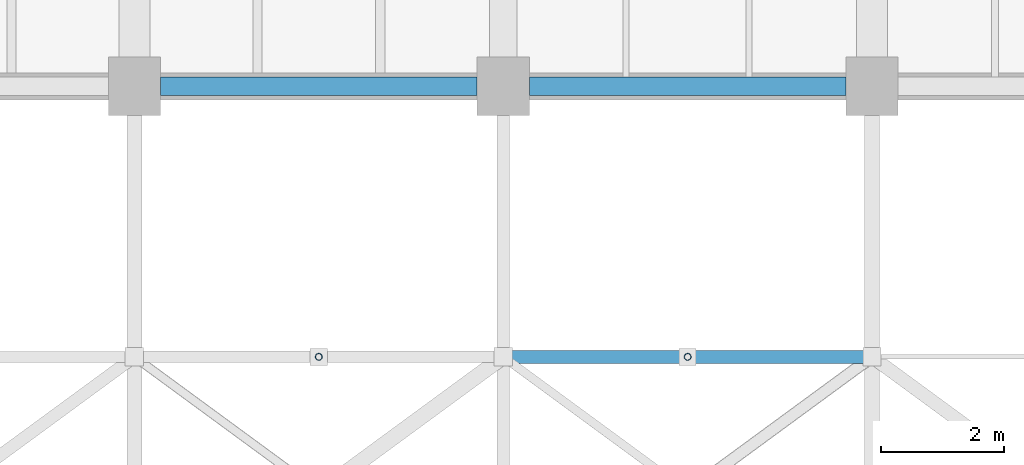
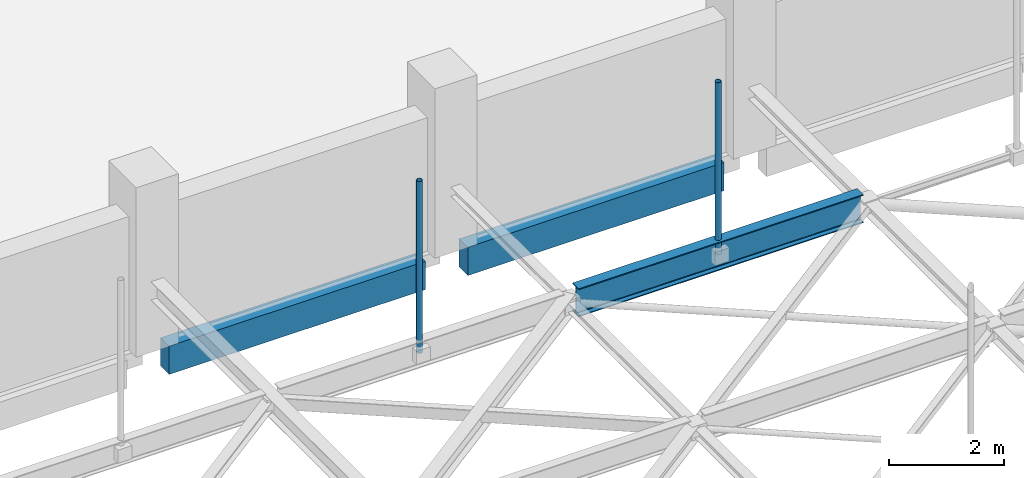
# One storey, part 51 of 93: 3 beams, 2 members.
"""IFC4 building model written with IfcOpenShell, lengths in metres."""

import ifcopenshell
import ifcopenshell.guid

model = None  # the IFC model being written
_history = None  # IfcOwnerHistory: only IFC2X3 demands one
_inside = {}  # id of a spatial element -> (the spatial element, [elements in it])
_under = {}  # id of a project, library or spatial element -> (it, [spatial elements below it])
_declared = {}  # id of a project -> (the project, [libraries it declares])
_typed = {}  # id of a type object -> (the type object, [elements of that type])
_made_of = {}  # id of a material, layer set ... -> (it, [elements and type objects made of it])


def new_model(schema):
    """Start an empty IFC model of exactly this schema.

    Asked for "IFC4X3", IfcOpenShell would pick the latest addendum, in which some entities
    have other attributes; the version numbers below select the first issue.
    IFC2X3 requires an IfcOwnerHistory on every rooted entity: one is made here for all.
    """
    global model, _history
    if schema == "IFC4X3":
        model = ifcopenshell.file(schema_version=(4, 3, 0, 0))
    else:
        model = ifcopenshell.file(schema=schema)
    _inside.clear()
    _under.clear()
    _declared.clear()
    _typed.clear()
    _made_of.clear()
    _history = None
    if model.schema == "IFC2X3":
        org = make("IfcOrganization", Name="unknown")
        user = make(
            "IfcPersonAndOrganization",
            ThePerson=make("IfcPerson", FamilyName="unknown"),
            TheOrganization=org,
        )
        app = make(
            "IfcApplication",
            ApplicationDeveloper=org,
            Version="unknown",
            ApplicationFullName="unknown",
            ApplicationIdentifier="unknown",
        )
        _history = make(
            "IfcOwnerHistory",
            OwningUser=user,
            OwningApplication=app,
            ChangeAction="ADDED",
            CreationDate=0,
        )
    return model


def make(cls, **values):
    """One entity of the class cls with the attributes given. An attribute that is None is left unset."""
    return model.create_entity(
        cls, **{name: value for name, value in values.items() if value is not None}
    )


def rooted(cls, **values):
    """An entity with a GlobalId (a new one), such as an element, a storey or a relation."""
    return make(cls, GlobalId=ifcopenshell.guid.new(), OwnerHistory=_history, **values)


def si_unit(unit_type, name, prefix=None):
    """IfcSIUnit, for example si_unit("LENGTHUNIT", "METRE", prefix="MILLI")."""
    return make("IfcSIUnit", UnitType=unit_type, Prefix=prefix, Name=name)


def assignment(units):
    """IfcUnitAssignment: the units of a project."""
    return None if units is None else make("IfcUnitAssignment", Units=units)


def point(xyz):
    """IfcCartesianPoint."""
    return None if xyz is None else make("IfcCartesianPoint", Coordinates=xyz)


def direction(xyz):
    """IfcDirection."""
    return None if xyz is None else make("IfcDirection", DirectionRatios=xyz)


def frame(location, z_axis=None, x_axis=None):
    """IfcAxis2Placement3D, a coordinate frame: its origin and axes. An axis left out is left unset."""
    return make(
        "IfcAxis2Placement3D",
        Location=point(location),
        Axis=direction(z_axis),
        RefDirection=direction(x_axis),
    )


def frame_2d(location, x_axis=None):
    """IfcAxis2Placement2D, a coordinate frame in the plane: its origin and x axis."""
    return make(
        "IfcAxis2Placement2D", Location=point(location), RefDirection=direction(x_axis)
    )


def origin():
    """The frame at (0, 0, 0) with its axes left unset."""
    return frame((0.0, 0.0, 0.0))


def origin_2d():
    """The frame at (0, 0) in the plane with its x axis left unset."""
    return frame_2d((0.0, 0.0))


def place(relative_to, where):
    """IfcLocalPlacement: puts the frame where relative to a parent placement (None: the world)."""
    return make(
        "IfcLocalPlacement", PlacementRelTo=relative_to, RelativePlacement=where
    )


def context(
    kind, dimensions, precision=None, world=None, true_north=None, identifier=None
):
    """IfcGeometricRepresentationContext, for example the 3D "Model" context."""
    return make(
        "IfcGeometricRepresentationContext",
        ContextIdentifier=identifier,
        ContextType=kind,
        CoordinateSpaceDimension=dimensions,
        Precision=precision,
        WorldCoordinateSystem=world,
        TrueNorth=true_north,
    )


def subcontext(parent, identifier, kind, view, scale=None):
    """IfcGeometricRepresentationSubContext, for example "Body" below "Model"."""
    return make(
        "IfcGeometricRepresentationSubContext",
        ContextIdentifier=identifier,
        ContextType=kind,
        ParentContext=parent,
        TargetScale=scale,
        TargetView=view,
    )


def project(units=None, contexts=None):
    """IfcProject with its units and contexts."""
    return rooted(
        "IfcProject",
        Name="project",
        RepresentationContexts=contexts,
        UnitsInContext=assignment(units),
    )


def spatial(cls, under=None, at=None, **own):
    """A site, building, storey or space (cls), placed at a placement, below another one or the project."""
    s = rooted(cls, ObjectPlacement=at, **own)
    if under is not None:
        _under.setdefault(under.id(), (under, []))[1].append(s)
    return s


def profile(cls, at=None, kind="AREA", **sizes):
    """A parametric profile (cls). Its sizes go by their IFC names, for example OverallWidth=200.0."""
    return make(cls, ProfileType=kind, Position=at, **sizes)


def rectangle(**sizes):
    """IfcRectangleProfileDef."""
    return profile("IfcRectangleProfileDef", **sizes)


def hollow_circle(**sizes):
    """IfcCircleHollowProfileDef."""
    return profile("IfcCircleHollowProfileDef", **sizes)


def i_section(**sizes):
    """IfcIShapeProfileDef."""
    return profile("IfcIShapeProfileDef", **sizes)


def extrude(swept, where, along, depth):
    """IfcExtrudedAreaSolid: the profile swept, set in the frame where, extruded along a direction by depth."""
    return make(
        "IfcExtrudedAreaSolid",
        SweptArea=swept,
        Position=where,
        ExtrudedDirection=direction(along),
        Depth=depth,
    )


def shape(context_of_items, identifier, shape_type, items):
    """IfcShapeRepresentation: the items that make up one representation, for example the "Body"."""
    return make(
        "IfcShapeRepresentation",
        ContextOfItems=context_of_items,
        RepresentationIdentifier=identifier,
        RepresentationType=shape_type,
        Items=items,
    )


def material(Name=None, Category=None):
    """IfcMaterial."""
    return make("IfcMaterial", Name=Name, Category=Category)


def material_profile(
    of_material, cross_section, Name=None, Category=None, Priority=None
):
    """IfcMaterialProfile: a cross section and its material."""
    return make(
        "IfcMaterialProfile",
        Name=Name,
        Material=of_material,
        Profile=cross_section,
        Priority=Priority,
        Category=Category,
    )


def profile_set(profiles, Name=None, composite=None):
    """IfcMaterialProfileSet."""
    return make(
        "IfcMaterialProfileSet",
        Name=Name,
        MaterialProfiles=profiles,
        CompositeProfile=composite,
    )


def made_of(thing, what):
    """Note that an element or type object is made of a material, layer set ...; save() writes the relation."""
    if what is not None:
        _made_of.setdefault(what.id(), (what, []))[1].append(thing)
    return thing


def type_object(cls, material=None, **own):
    """A type object (cls), such as IfcWallType, which elements share."""
    return made_of(rooted(cls, **own), material)


def element(
    cls,
    number,
    at=None,
    inside=None,
    cuts=None,
    type_object=None,
    material=None,
    context=None,
    identifier="Body",
    shape_type=None,
    held_by="IfcProductDefinitionShape",
    body=None,
    shapes=None,
    **own,
):
    """One element of the class cls, such as IfcWall. Its Tag is "e" and its number.

    at: its placement. inside: the storey or other place that contains it. cuts: it is an
    opening in that element (IfcRelVoidsElement). A single representation is given by context,
    identifier, shape_type and body (its items); several are given by shapes. held_by: the class
    of the entity that holds the representations. save() writes the other relations.
    """
    e = rooted(cls, Tag="e%d" % number, ObjectPlacement=at, **own)
    if body is not None:
        shapes = [shape(context, identifier, shape_type, body)]
    if shapes is not None:
        e.Representation = make(held_by, Representations=shapes)
    if inside is not None:
        _inside.setdefault(inside.id(), (inside, []))[1].append(e)
    if cuts is not None:
        rooted(
            "IfcRelVoidsElement", RelatingBuildingElement=cuts, RelatedOpeningElement=e
        )
    if type_object is not None:
        _typed.setdefault(type_object.id(), (type_object, []))[1].append(e)
    return made_of(e, material)


def aggregate(whole, parts):
    """IfcRelAggregates: a whole, such as a stair, and the parts it consists of."""
    return rooted("IfcRelAggregates", RelatingObject=whole, RelatedObjects=parts)


def save(model, path):
    """Write the relations noted so far, then the file.

    IfcRelAggregates (storeys below a building ...), IfcRelContainedInSpatialStructure (elements
    in a storey), IfcRelDefinesByType, IfcRelAssociatesMaterial and IfcRelDeclares: one each for
    every whole, place, type object, material and project.
    """
    for whole, parts in _under.values():
        aggregate(whole, parts)
    for where, things in _inside.values():
        rooted(
            "IfcRelContainedInSpatialStructure",
            RelatedElements=things,
            RelatingStructure=where,
        )
    for kind, things in _typed.values():
        rooted("IfcRelDefinesByType", RelatedObjects=things, RelatingType=kind)
    for what, things in _made_of.values():
        rooted("IfcRelAssociatesMaterial", RelatedObjects=things, RelatingMaterial=what)
    for by, libraries in _declared.values():
        rooted("IfcRelDeclares", RelatingContext=by, RelatedDefinitions=libraries)
    model.write(path)


model = new_model("IFC4")

# Units and contexts
model_context = context("Model", 3, precision=1e-05, world=origin(), true_north=direction((0.0, 1.0)))
body_context = subcontext(model_context, "Body", "Model", "MODEL_VIEW")
ifc_project = project(units=[si_unit("LENGTHUNIT", "METRE"), si_unit("AREAUNIT", "SQUARE_METRE"), si_unit("VOLUMEUNIT", "CUBIC_METRE"), si_unit("PLANEANGLEUNIT", "RADIAN"), si_unit("MASSUNIT", "GRAM", prefix="KILO")], contexts=[model_context])

# Site, building, storey
site_placement = place(None, origin())
site = spatial("IfcSite", under=ifc_project, at=site_placement, CompositionType="ELEMENT")
building_placement = place(site_placement, origin())
building = spatial("IfcBuilding", under=site, at=building_placement, Name="Varnakota Cinema and Media Centre", CompositionType="ELEMENT")
storey_placement = place(building_placement, frame((0.0, 0.0, 12.0)))
storey = spatial("IfcBuildingStorey", under=building, at=storey_placement, Name="L03", CompositionType="ELEMENT", Elevation=12.0)

# Beams
ifc_material_1 = material(Name="Concrete M35", Category="concrete")
ifc_material_profile_1 = material_profile(ifc_material_1, rectangle(XDim=0.300048828125, YDim=0.60009765625, at=origin_2d()), Name="RCB 300x600")
ifc_profile_set_1 = profile_set([ifc_material_profile_1], Name="Concrete M35")
beam_type_1 = type_object("IfcBeamType", Name="BM-SP-300x600", PredefinedType="SPANDREL", material=ifc_profile_set_1)
for number, where, z_axis, x_axis, name in (
    (1, (93.425048828125, 35.199951171875, -0.56005859375), (1.0, 0.0, 0.0), (0.0, 1.0, 0.0), "L03 girder N-P/5"),
    (2, (99.425048828125, 35.199951171875, -0.56005859375), (1.0, 0.0, 0.0), (0.0, 1.0, 0.0), "L03 girder P-Q/5"),
):
    element("IfcBeam", number, at=place(storey_placement, frame(where, z_axis=z_axis, x_axis=x_axis)), inside=storey, type_object=beam_type_1, Name=name, PredefinedType="SPANDREL", context=body_context, shape_type="SweptSolid", body=[
        extrude(rectangle(XDim=0.300048828125, YDim=0.60009765625, at=origin_2d()), origin(), (0.0, 0.0, 1.0), 5.14990234375),
    ])
ifc_material_2 = material(Name="Structural steel Grade 350 (E350)", Category="steel")
ifc_material_profile_2 = material_profile(ifc_material_2, i_section(OverallWidth=0.2099609375, OverallDepth=0.60009765625, WebThickness=0.011962890625, FlangeThickness=0.020751953125, FilletRadius=0.02001953125, at=origin_2d()), Name="ISMB 600")
ifc_profile_set_2 = profile_set([ifc_material_profile_2], Name="Structural steel Grade 350 (E350)")
beam_type_2 = type_object("IfcBeamType", Name="BM-ST-ISMB600", PredefinedType="BEAM", material=ifc_profile_set_2)
beam_placement = place(storey_placement, frame((99.139892578125, 30.800048828125, 1.300048828125), z_axis=(1.0, 0.0, 0.0), x_axis=(0.0, 1.0, 0.0)))
element("IfcBeam", 3, at=beam_placement, inside=storey, type_object=beam_type_2, Name="V1 rigging beam 5.7", PredefinedType="BEAM", context=body_context, shape_type="SweptSolid", body=[
    extrude(i_section(OverallWidth=0.2099609375, OverallDepth=0.60009765625, WebThickness=0.011962890625, FlangeThickness=0.020751953125, FilletRadius=0.02001953125, at=origin_2d()), origin(), (0.0, 0.0, 1.0), 5.72021484375),
])

# Members
ifc_material_3 = material(Name="Structural steel S355 (YSt 355)", Category="steel")
ifc_material_profile_3 = material_profile(ifc_material_3, hollow_circle(Radius=0.05712890625, WallThickness=0.00537109375, at=origin_2d()), Name="CHS 114.3x5.4")
ifc_profile_set_3 = profile_set([ifc_material_profile_3], Name="Structural steel S355 (YSt 355)")
member_type = type_object("IfcMemberType", Name="MEM-ST-CHS114_3x5_4", PredefinedType="BRACE", material=ifc_profile_set_3)
for number, where, z_axis, x_axis, name in (
    (4, (96.0, 30.800048828125, 1.300048828125), (0.0, 0.0, 1.0), (1.0, 0.0, 0.0), "V1 rigging hanger 4.4"),
    (5, (102.0, 30.800048828125, 1.300048828125), (0.0, 0.0, 1.0), (1.0, 0.0, 0.0), "V1 rigging hanger 5.4"),
):
    element("IfcMember", number, at=place(storey_placement, frame(where, z_axis=z_axis, x_axis=x_axis)), inside=storey, type_object=member_type, Name=name, PredefinedType="BRACE", context=body_context, shape_type="SweptSolid", body=[
        extrude(hollow_circle(Radius=0.05712890625, WallThickness=0.00537109375, at=origin_2d()), origin(), (0.0, 0.0, 1.0), 3.64990234375),
    ])

save(model, "model.ifc")
